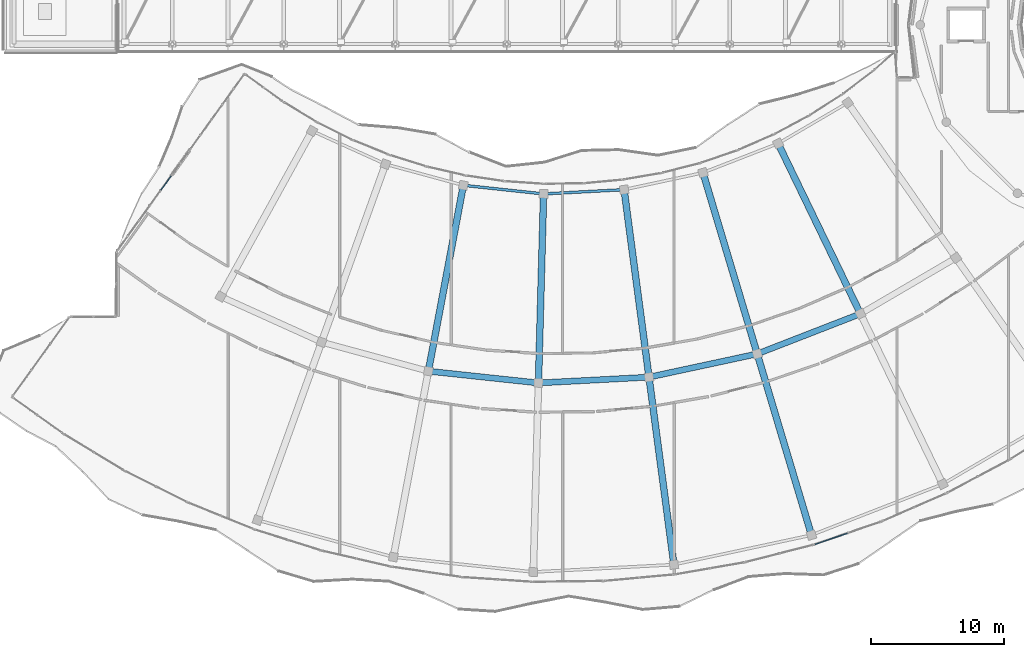
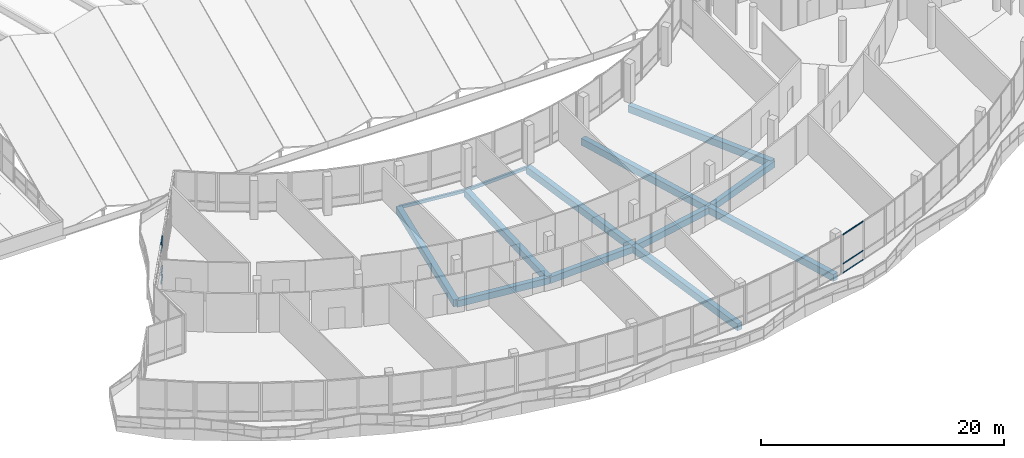
# One storey, part 23 of 184: 13 beams, 7 members, 2 elements without a shape of their own.
"""IFC4 building model written with IfcOpenShell, lengths in metres."""

from ifc_helpers import new_model, si_unit, direction, frame, origin, origin_2d, place, context, subcontext, project, spatial, rectangle, hollow_rectangle, extrude, material, material_profile, profile_set, type_object, element, aggregate, save


model = new_model("IFC4")

# Units and contexts
model_context = context("Model", 3, precision=1e-05, world=origin(), true_north=direction((0.0, 1.0)))
body_context = subcontext(model_context, "Body", "Model", "MODEL_VIEW")
ifc_project = project(units=[si_unit("LENGTHUNIT", "METRE"), si_unit("AREAUNIT", "SQUARE_METRE"), si_unit("VOLUMEUNIT", "CUBIC_METRE"), si_unit("PLANEANGLEUNIT", "RADIAN"), si_unit("MASSUNIT", "GRAM", prefix="KILO")], contexts=[model_context])

# Site, building, storey
site_placement = place(None, origin())
site = spatial("IfcSite", under=ifc_project, at=site_placement, CompositionType="ELEMENT")
building_placement = place(site_placement, origin())
building = spatial("IfcBuilding", under=site, at=building_placement, Name="Selatvlak General Hospital", CompositionType="ELEMENT")
storey_placement = place(building_placement, frame((0.0, 0.0, 15.0)))
storey = spatial("IfcBuildingStorey", under=building, at=storey_placement, Name="L03", CompositionType="ELEMENT", Elevation=15.0)

# Beams
ifc_material_1 = material(Name="Concrete C40/50", Category="concrete")
ifc_material_profile_1 = material_profile(ifc_material_1, rectangle(XDim=0.5, YDim=0.699951171875, at=origin_2d()), Name="RC-BM 500x700")
ifc_profile_set_1 = profile_set([ifc_material_profile_1], Name="Concrete C40/50")
beam_type_1 = type_object("IfcBeamType", Name="BM-G03", PredefinedType="BEAM", material=ifc_profile_set_1)
beam_1_placement = place(storey_placement, frame((48.924072265625, 41.909912109375, -0.68994140625), z_axis=(-0.184983631041, -0.982741601972, 0.0), x_axis=(0.982741601972, -0.184983631041, 0.0)))
element("IfcBeam", 1, at=beam_1_placement, inside=storey, type_object=beam_type_1, Name="Beam BMR-L03-1461", PredefinedType="BEAM", context=body_context, shape_type="SweptSolid", body=[
    extrude(rectangle(XDim=0.5, YDim=0.699951171875, at=origin_2d()), origin(), (0.0, 0.0, 1.0), 14.249755859375),
])
beam_2_placement = place(storey_placement, frame((54.968017578125, 41.262939453125, -0.68994140625), z_axis=(-0.027088422576, -0.999633041352, 0.0), x_axis=(0.999633041352, -0.027088422576, 0.0)))
element("IfcBeam", 2, at=beam_2_placement, inside=storey, type_object=beam_type_1, Name="Beam BMR-L03-1463", PredefinedType="BEAM", context=body_context, shape_type="SweptSolid", body=[
    extrude(rectangle(XDim=0.5, YDim=0.699951171875, at=origin_2d()), origin(), (0.0, 0.0, 1.0), 14.2490234375),
])
for number, where, z_axis, x_axis, name in (
    (3, (61.034912109375, 41.5830078125, -0.68994140625), (0.131731654767, -0.991285413558, 0.0), (0.991285413558, 0.131731654767, 0.0), "Beam BMR-L03-1465"),
    (4, (62.912109375, 27.45703125, -0.68994140625), (0.131714819532, -0.991287650642, 0.0), (0.991287650642, 0.131714819532, 0.0), "Beam BMR-L03-1466"),
):
    element("IfcBeam", number, at=place(storey_placement, frame(where, z_axis=z_axis, x_axis=x_axis)), inside=storey, type_object=beam_type_1, Name=name, PredefinedType="BEAM", context=body_context, shape_type="SweptSolid", body=[
        extrude(rectangle(XDim=0.5, YDim=0.699951171875, at=origin_2d()), origin(), (0.0, 0.0, 1.0), 14.250244140625),
    ])
for number, where, z_axis, x_axis, name in (
    (5, (66.97900390625, 42.861083984375, -0.68994140625), (0.286849619042, -0.957975623936, 0.0), (0.957975623936, 0.286849619042, 0.0), "Beam BMR-L03-1467"),
    (6, (71.06689453125, 29.208984375, -0.68994140625), (0.286865340788, -0.957970916184, 0.0), (0.957970916184, 0.286865340788, 0.0), "Beam BMR-L03-1468"),
):
    element("IfcBeam", number, at=place(storey_placement, frame(where, z_axis=z_axis, x_axis=x_axis)), inside=storey, type_object=beam_type_1, Name=name, PredefinedType="BEAM", context=body_context, shape_type="SweptSolid", body=[
        extrude(rectangle(XDim=0.5, YDim=0.699951171875, at=origin_2d()), origin(), (0.0, 0.0, 1.0), 14.2509765625),
    ])
beam_3_placement = place(storey_placement, frame((72.639892578125, 45.06005859375, -0.68994140625), z_axis=(0.435222358934, -0.900322996643, 0.0), x_axis=(0.900322996643, 0.435222358934, 0.0)))
element("IfcBeam", 7, at=beam_3_placement, inside=storey, type_object=beam_type_1, Name="Beam BMR-L03-1469", PredefinedType="BEAM", context=body_context, shape_type="SweptSolid", body=[
    extrude(rectangle(XDim=0.5, YDim=0.699951171875, at=origin_2d()), origin(), (0.0, 0.0, 1.0), 14.25048828125),
])
ifc_material_profile_2 = material_profile(ifc_material_1, rectangle(XDim=0.449951171875, YDim=0.64990234375, at=origin_2d()), Name="RC-BM 450x650")
ifc_profile_set_2 = profile_set([ifc_material_profile_2], Name="Concrete C40/50")
beam_type_2 = type_object("IfcBeamType", Name="BM-G04", PredefinedType="BEAM", material=ifc_profile_set_2)
beam_4_placement = place(storey_placement, frame((46.2880859375, 27.906005859375, -0.6650390625), z_axis=(0.994330393907, -0.10633469684, 0.0), x_axis=(0.10633469684, 0.994330393907, 0.0)))
element("IfcBeam", 8, at=beam_4_placement, inside=storey, type_object=beam_type_2, Name="Beam BMR-L03-1486", PredefinedType="BEAM", context=body_context, shape_type="SweptSolid", body=[
    extrude(rectangle(XDim=0.449951171875, YDim=0.64990234375, at=origin_2d()), origin(), (0.0, 0.0, 1.0), 8.34130859375),
])
beam_5_placement = place(storey_placement, frame((54.58203125, 27.01904296875, -0.6650390625), z_axis=(0.998620576885, 0.052506603603, 0.0), x_axis=(-0.052506603603, 0.998620576885, 0.0)))
element("IfcBeam", 9, at=beam_5_placement, inside=storey, type_object=beam_type_2, Name="Beam BMR-L03-1487", PredefinedType="BEAM", context=body_context, shape_type="SweptSolid", body=[
    extrude(rectangle(XDim=0.449951171875, YDim=0.64990234375, at=origin_2d()), origin(), (0.0, 0.0, 1.0), 8.341552734375),
])
beam_6_placement = place(storey_placement, frame((62.912109375, 27.45703125, -0.6650390625), z_axis=(0.977691764251, 0.210044790739, 0.0), x_axis=(-0.210044790739, 0.977691764251, 0.0)))
element("IfcBeam", 10, at=beam_6_placement, inside=storey, type_object=beam_type_2, Name="Beam BMR-L03-1488", PredefinedType="BEAM", context=body_context, shape_type="SweptSolid", body=[
    extrude(rectangle(XDim=0.449951171875, YDim=0.64990234375, at=origin_2d()), origin(), (0.0, 0.0, 1.0), 8.3408203125),
])
beam_7_placement = place(storey_placement, frame((71.06689453125, 29.208984375, -0.6650390625), z_axis=(0.932112837016, 0.362167998406, 0.0), x_axis=(-0.362167998406, 0.932112837016, 0.0)))
element("IfcBeam", 11, at=beam_7_placement, inside=storey, type_object=beam_type_2, Name="Beam BMR-L03-1489", PredefinedType="BEAM", context=body_context, shape_type="SweptSolid", body=[
    extrude(rectangle(XDim=0.449951171875, YDim=0.64990234375, at=origin_2d()), origin(), (0.0, 0.0, 1.0), 8.34130859375),
])
ifc_material_2 = material(Name="Steel S355", Category="steel")
ifc_material_profile_3 = material_profile(ifc_material_2, hollow_rectangle(XDim=0.199951171875, YDim=0.300048828125, WallThickness=0.011962890625, at=origin_2d()), Name="RHS 300x200x12")
ifc_profile_set_3 = profile_set([ifc_material_profile_3], Name="Steel S355")
beam_type_3 = type_object("IfcBeamType", Name="BM-SP3", PredefinedType="SPANDREL", material=ifc_profile_set_3)
beam_8_placement = place(storey_placement, frame((48.924072265625, 41.909912109375, -0.489990234375), z_axis=(0.994319481673, -0.106436687124, 0.0), x_axis=(0.106436687124, 0.994319481673, 0.0)))
element("IfcBeam", 12, at=beam_8_placement, inside=storey, type_object=beam_type_3, Name="Beam BMR-L03-1478", PredefinedType="SPANDREL", context=body_context, shape_type="SweptSolid", body=[
    extrude(hollow_rectangle(XDim=0.199951171875, YDim=0.300048828125, WallThickness=0.011962890625, at=origin_2d()), origin(), (0.0, 0.0, 1.0), 6.078369140625),
])
beam_9_placement = place(storey_placement, frame((54.968017578125, 41.262939453125, -0.489990234375), z_axis=(0.998611271998, 0.052683274752, 0.0), x_axis=(-0.052683274752, 0.998611271998, 0.0)))
element("IfcBeam", 13, at=beam_9_placement, inside=storey, type_object=beam_type_3, Name="Beam BMR-L03-1479", PredefinedType="SPANDREL", context=body_context, shape_type="SweptSolid", body=[
    extrude(hollow_rectangle(XDim=0.199951171875, YDim=0.300048828125, WallThickness=0.011962890625, at=origin_2d()), origin(), (0.0, 0.0, 1.0), 6.075439453125),
])

# Curtain wall, members
ifc_material_3 = material(Name="Solar-control Low-E double glazing", Category="glass")
curtain_wall_type = type_object("IfcCurtainWallType", Name="CW-CW-01", PredefinedType="USERDEFINED", material=ifc_material_3)
curtain_wall_1_placement = place(storey_placement, origin())
curtain_wall_1 = element("IfcCurtainWall", 14, at=curtain_wall_1_placement, inside=storey, type_object=curtain_wall_type, Name="Glazed facade curtain wall CW-L03-0423", ObjectType="UNITISED CURTAIN WALL", PredefinedType="USERDEFINED")
ifc_material_4 = material(Name="Dark anodised aluminium mullion", Category="aluminium")
ifc_material_profile_4 = material_profile(ifc_material_4, hollow_rectangle(XDim=0.06494140625, YDim=0.1201171875, WallThickness=0.00390625, at=origin_2d()), Name="AL-TRN 65x120x4")
ifc_profile_set_4 = profile_set([ifc_material_profile_4], Name="Dark anodised aluminium mullion")
member_type = type_object("IfcMemberType", Name="CWT-01", PredefinedType="USERDEFINED", material=ifc_profile_set_4)
member_1_placement = place(storey_placement, frame((77.855712890625, 15.69189453125, 0.032470703125), z_axis=(-0.945837511691, -0.324640418737, 0.0), x_axis=(0.324640418737, -0.945837511691, 0.0)))
member_1 = element("IfcMember", 15, at=member_1_placement, type_object=member_type, Name="CW-01 transom 2.1", ObjectType="TRANSOM", PredefinedType="USERDEFINED", context=body_context, shape_type="SweptSolid", body=[
    extrude(hollow_rectangle(XDim=0.06494140625, YDim=0.1201171875, WallThickness=0.00390625, at=origin_2d()), origin(), (0.0, 0.0, 1.0), 2.547119140625),
])
member_2_placement = place(storey_placement, frame((77.855712890625, 15.69189453125, 0.949951171875), z_axis=(-0.945837511691, -0.324640418737, 0.0), x_axis=(0.324640418737, -0.945837511691, 0.0)))
member_2 = element("IfcMember", 16, at=member_2_placement, type_object=member_type, Name="CW-01 transom 2.2", ObjectType="TRANSOM", PredefinedType="USERDEFINED", context=body_context, shape_type="SweptSolid", body=[
    extrude(hollow_rectangle(XDim=0.06494140625, YDim=0.1201171875, WallThickness=0.00390625, at=origin_2d()), origin(), (0.0, 0.0, 1.0), 2.547119140625),
])
member_3_placement = place(storey_placement, frame((77.855712890625, 15.69189453125, 3.862548828125), z_axis=(-0.945837511691, -0.324640418737, 0.0), x_axis=(0.324640418737, -0.945837511691, 0.0)))
member_3 = element("IfcMember", 17, at=member_3_placement, type_object=member_type, Name="CW-01 transom 2.3", ObjectType="TRANSOM", PredefinedType="USERDEFINED", context=body_context, shape_type="SweptSolid", body=[
    extrude(hollow_rectangle(XDim=0.06494140625, YDim=0.1201171875, WallThickness=0.00390625, at=origin_2d()), origin(), (0.0, 0.0, 1.0), 2.547119140625),
])
aggregate(curtain_wall_1, [member_1, member_2, member_3])

curtain_wall_2_placement = place(storey_placement, origin())
curtain_wall_2 = element("IfcCurtainWall", 18, at=curtain_wall_2_placement, inside=storey, type_object=curtain_wall_type, Name="Glazed facade curtain wall CW-L03-0440", ObjectType="UNITISED CURTAIN WALL", PredefinedType="USERDEFINED")
member_4_placement = place(storey_placement, frame((26.136962890625, 41.54638671875, 0.032470703125), z_axis=(0.584009392292, 0.811746900034, 0.0), x_axis=(-0.811746900034, 0.584009392292, 0.0)))
member_4 = element("IfcMember", 19, at=member_4_placement, type_object=member_type, Name="CW-01 transom 5.1", ObjectType="TRANSOM", PredefinedType="USERDEFINED", context=body_context, shape_type="SweptSolid", body=[
    extrude(hollow_rectangle(XDim=0.06494140625, YDim=0.1201171875, WallThickness=0.00390625, at=origin_2d()), origin(), (0.0, 0.0, 1.0), 1.306884765625),
])
member_5_placement = place(storey_placement, frame((26.136962890625, 41.54638671875, 0.89990234375), z_axis=(0.584009392292, 0.811746900034, 0.0), x_axis=(-0.811746900034, 0.584009392292, 0.0)))
member_5 = element("IfcMember", 20, at=member_5_placement, type_object=member_type, Name="CW-01 transom 5.2", ObjectType="TRANSOM", PredefinedType="USERDEFINED", context=body_context, shape_type="SweptSolid", body=[
    extrude(hollow_rectangle(XDim=0.06494140625, YDim=0.1201171875, WallThickness=0.00390625, at=origin_2d()), origin(), (0.0, 0.0, 1.0), 1.306884765625),
])
member_6_placement = place(storey_placement, frame((26.136962890625, 41.54638671875, 3.2451171875), z_axis=(0.584009392292, 0.811746900034, 0.0), x_axis=(-0.811746900034, 0.584009392292, 0.0)))
member_6 = element("IfcMember", 21, at=member_6_placement, type_object=member_type, Name="CW-01 transom 5.3", ObjectType="TRANSOM", PredefinedType="USERDEFINED", context=body_context, shape_type="SweptSolid", body=[
    extrude(hollow_rectangle(XDim=0.06494140625, YDim=0.1201171875, WallThickness=0.00390625, at=origin_2d()), origin(), (0.0, 0.0, 1.0), 1.306884765625),
])
member_7_placement = place(storey_placement, frame((26.136962890625, 41.54638671875, 3.862548828125), z_axis=(0.584009392292, 0.811746900034, 0.0), x_axis=(-0.811746900034, 0.584009392292, 0.0)))
member_7 = element("IfcMember", 22, at=member_7_placement, type_object=member_type, Name="CW-01 transom 5.4", ObjectType="TRANSOM", PredefinedType="USERDEFINED", context=body_context, shape_type="SweptSolid", body=[
    extrude(hollow_rectangle(XDim=0.06494140625, YDim=0.1201171875, WallThickness=0.00390625, at=origin_2d()), origin(), (0.0, 0.0, 1.0), 1.306884765625),
])
aggregate(curtain_wall_2, [member_4, member_5, member_6, member_7])

save(model, "model.ifc")
